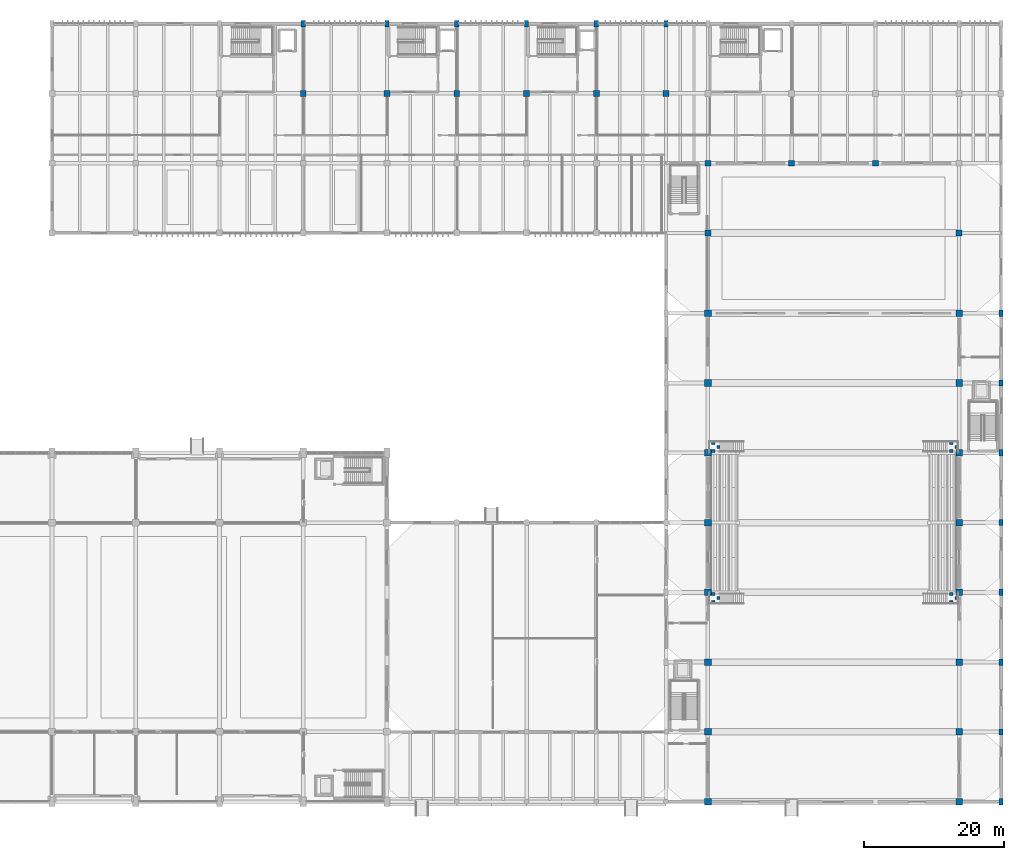
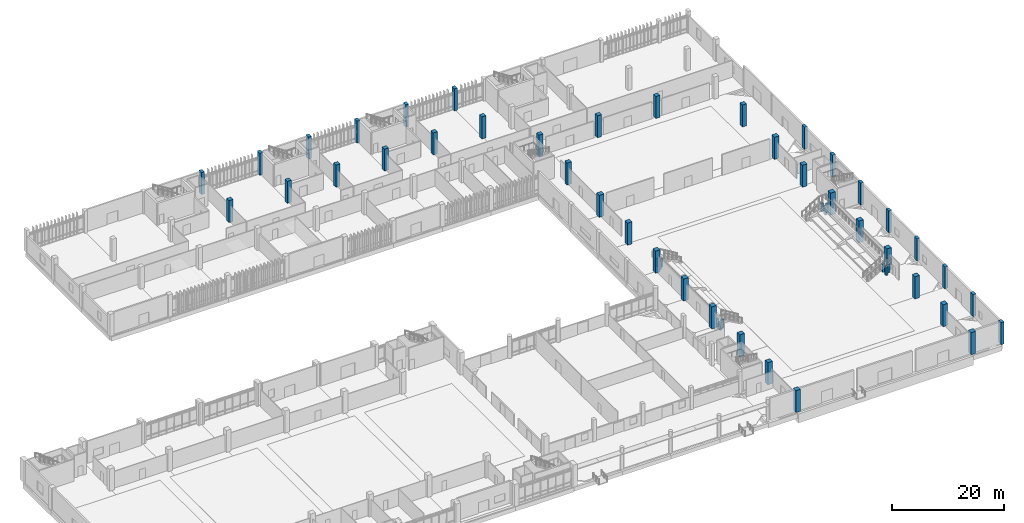
# One storey, part 3 of 87: 53 columns.
"""IFC4 building model written with IfcOpenShell, lengths in metres."""

from ifc_helpers import new_model, si_unit, direction, frame, origin, origin_2d, place, context, subcontext, project, spatial, rectangle, extrude, material, material_profile, profile_set, type_object, element, save


model = new_model("IFC4")

# Units and contexts
model_context = context("Model", 3, precision=1e-05, world=origin(), true_north=direction((0.0, 1.0)))
body_context = subcontext(model_context, "Body", "Model", "MODEL_VIEW")
ifc_project = project(units=[si_unit("LENGTHUNIT", "METRE"), si_unit("AREAUNIT", "SQUARE_METRE"), si_unit("VOLUMEUNIT", "CUBIC_METRE"), si_unit("PLANEANGLEUNIT", "RADIAN"), si_unit("MASSUNIT", "GRAM", prefix="KILO")], contexts=[model_context])

# Site, building, storey
site_placement = place(None, origin())
site = spatial("IfcSite", under=ifc_project, at=site_placement, CompositionType="ELEMENT")
building_placement = place(site_placement, origin())
building = spatial("IfcBuilding", under=site, at=building_placement, Name="Mersad Railyard Sports Hall", CompositionType="ELEMENT")
storey_placement = place(building_placement, origin())
storey = spatial("IfcBuildingStorey", under=building, at=storey_placement, Name="L00", CompositionType="ELEMENT", Elevation=0.0)

# Columns
ifc_material_1 = material(Name="Concrete C50/60", Category="concrete")
ifc_material_profile_1 = material_profile(ifc_material_1, rectangle(XDim=0.949951171875, YDim=0.949951171875, at=origin_2d()), Name="RC 950x950")
ifc_profile_set_1 = profile_set([ifc_material_profile_1], Name="Concrete C50/60")
column_type_1 = type_object("IfcColumnType", Name="STR-COL-C01", PredefinedType="COLUMN", material=ifc_profile_set_1)
for number, where, z_axis, x_axis, name in (
    (1, (137.0, 3.5, 0.0), (0.0, 0.0, 1.0), (1.0, 0.0, 0.0), "Column C01 L00 (137.0,3.5)"),
    (2, (137.0, 13.5, 0.0), (0.0, 0.0, 1.0), (1.0, 0.0, 0.0), "Column C01 L00 (137.0,13.5)"),
    (3, (137.0, 23.5, 0.0), (0.0, 0.0, 1.0), (1.0, 0.0, 0.0), "Column C01 L00 (137.0,23.5)"),
    (4, (137.0, 33.5, 0.0), (0.0, 0.0, 1.0), (1.0, 0.0, 0.0), "Column C01 L00 (137.0,33.5)"),
    (5, (137.0, 43.5, 0.0), (0.0, 0.0, 1.0), (1.0, 0.0, 0.0), "Column C01 L00 (137.0,43.5)"),
    (6, (137.0, 53.5, 0.0), (0.0, 0.0, 1.0), (1.0, 0.0, 0.0), "Column C01 L00 (137.0,53.5)"),
    (7, (137.0, 63.5, 0.0), (0.0, 0.0, 1.0), (1.0, 0.0, 0.0), "Column C01 L00 (137.0,63.5)"),
    (8, (137.0, 73.5, 0.0), (0.0, 0.0, 1.0), (1.0, 0.0, 0.0), "Column C01 L00 (137.0,73.5)"),
    (9, (173.0, 3.5, 0.0), (0.0, 0.0, 1.0), (1.0, 0.0, 0.0), "Column C01 L00 (173.0,3.5)"),
    (10, (173.0, 13.5, 0.0), (0.0, 0.0, 1.0), (1.0, 0.0, 0.0), "Column C01 L00 (173.0,13.5)"),
    (11, (173.0, 23.5, 0.0), (0.0, 0.0, 1.0), (1.0, 0.0, 0.0), "Column C01 L00 (173.0,23.5)"),
    (12, (173.0, 33.5, 0.0), (0.0, 0.0, 1.0), (1.0, 0.0, 0.0), "Column C01 L00 (173.0,33.5)"),
    (13, (173.0, 43.5, 0.0), (0.0, 0.0, 1.0), (1.0, 0.0, 0.0), "Column C01 L00 (173.0,43.5)"),
    (14, (173.0, 53.5, 0.0), (0.0, 0.0, 1.0), (1.0, 0.0, 0.0), "Column C01 L00 (173.0,53.5)"),
    (15, (173.0, 63.5, 0.0), (0.0, 0.0, 1.0), (1.0, 0.0, 0.0), "Column C01 L00 (173.0,63.5)"),
    (16, (173.0, 73.5, 0.0), (0.0, 0.0, 1.0), (1.0, 0.0, 0.0), "Column C01 L00 (173.0,73.5)"),
):
    element("IfcColumn", number, at=place(storey_placement, frame(where, z_axis=z_axis, x_axis=x_axis)), inside=storey, type_object=column_type_1, Name=name, PredefinedType="COLUMN", context=body_context, shape_type="SweptSolid", body=[
        extrude(rectangle(XDim=0.949951171875, YDim=0.949951171875, at=origin_2d()), origin(), (0.0, 0.0, 1.0), 4.800048828125),
    ])
ifc_material_profile_2 = material_profile(ifc_material_1, rectangle(XDim=0.85009765625, YDim=0.85009765625, at=origin_2d()), Name="RC 850x850")
ifc_profile_set_2 = profile_set([ifc_material_profile_2], Name="Concrete C50/60")
column_type_2 = type_object("IfcColumnType", Name="STR-COL-C02", PredefinedType="COLUMN", material=ifc_profile_set_2)
for number, where, z_axis, x_axis, name in (
    (17, (137.0, 85.0, 0.0), (0.0, 0.0, 1.0), (1.0, 0.0, 0.0), "Column C02 L00 (137.0,85.0)"),
    (18, (137.0, 95.0, 0.0), (0.0, 0.0, 1.0), (1.0, 0.0, 0.0), "Column C02 L00 (137.0,95.0)"),
    (19, (173.0, 85.0, 0.0), (0.0, 0.0, 1.0), (1.0, 0.0, 0.0), "Column C02 L00 (173.0,85.0)"),
    (20, (79.0, 105.0, 0.0), (0.0, 0.0, 1.0), (1.0, 0.0, 0.0), "Column C02 L00 (79.0,105.0)"),
    (21, (91.0, 105.0, 0.0), (0.0, 0.0, 1.0), (1.0, 0.0, 0.0), "Column C02 L00 (91.0,105.0)"),
    (22, (101.0, 105.0, 0.0), (0.0, 0.0, 1.0), (1.0, 0.0, 0.0), "Column C02 L00 (101.0,105.0)"),
    (23, (111.0, 105.0, 0.0), (0.0, 0.0, 1.0), (1.0, 0.0, 0.0), "Column C02 L00 (111.0,105.0)"),
    (24, (121.0, 105.0, 0.0), (0.0, 0.0, 1.0), (1.0, 0.0, 0.0), "Column C02 L00 (121.0,105.0)"),
    (25, (131.0, 105.0, 0.0), (0.0, 0.0, 1.0), (1.0, 0.0, 0.0), "Column C02 L00 (131.0,105.0)"),
    (26, (149.0, 95.0, 0.0), (0.0, 0.0, 1.0), (1.0, 0.0, 0.0), "Column C02 L00 (149.0,95.0)"),
    (27, (161.0, 95.0, 0.0), (0.0, 0.0, 1.0), (1.0, 0.0, 0.0), "Column C02 L00 (161.0,95.0)"),
):
    element("IfcColumn", number, at=place(storey_placement, frame(where, z_axis=z_axis, x_axis=x_axis)), inside=storey, type_object=column_type_2, Name=name, PredefinedType="COLUMN", context=body_context, shape_type="SweptSolid", body=[
        extrude(rectangle(XDim=0.85009765625, YDim=0.85009765625, at=origin_2d()), origin(), (0.0, 0.0, 1.0), 4.800048828125),
    ])
ifc_material_2 = material(Name="Concrete C40/50", Category="concrete")
ifc_material_profile_3 = material_profile(ifc_material_2, rectangle(XDim=0.449951171875, YDim=0.449951171875, at=origin_2d()), Name="RC 450x450")
ifc_profile_set_3 = profile_set([ifc_material_profile_3], Name="Concrete C40/50")
column_type_3 = type_object("IfcColumnType", Name="STR-COL-C06", PredefinedType="COLUMN", material=ifc_profile_set_3)
for number, where, z_axis, x_axis, name in (
    (28, (137.760009765625, 32.10009765625, 0.0), (0.0, 0.0, 1.0), (1.0, 0.0, 0.0), "Vomitory platform post 1-1"),
    (29, (137.760009765625, 33.25, 0.0), (0.0, 0.0, 1.0), (1.0, 0.0, 0.0), "Vomitory platform post 1-2"),
    (30, (138.5, 32.675048828125, 0.0), (0.0, 0.0, 1.0), (1.0, 0.0, 0.0), "Vomitory platform post 1-3"),
    (31, (137.760009765625, 53.75, 0.0), (0.0, 0.0, 1.0), (1.0, 0.0, 0.0), "Vomitory platform post 2-1"),
    (32, (137.760009765625, 54.89990234375, 0.0), (0.0, 0.0, 1.0), (1.0, 0.0, 0.0), "Vomitory platform post 2-2"),
    (33, (138.5, 54.324951171875, 0.0), (0.0, 0.0, 1.0), (1.0, 0.0, 0.0), "Vomitory platform post 2-3"),
    (34, (171.8701171875, 32.10009765625, 0.0), (0.0, 0.0, 1.0), (1.0, 0.0, 0.0), "Vomitory platform post 3-1"),
    (35, (171.8701171875, 33.25, 0.0), (0.0, 0.0, 1.0), (1.0, 0.0, 0.0), "Vomitory platform post 3-2"),
    (36, (172.610107421875, 32.675048828125, 0.0), (0.0, 0.0, 1.0), (1.0, 0.0, 0.0), "Vomitory platform post 3-3"),
    (37, (171.8701171875, 53.75, 0.0), (0.0, 0.0, 1.0), (1.0, 0.0, 0.0), "Vomitory platform post 4-1"),
    (38, (171.8701171875, 54.89990234375, 0.0), (0.0, 0.0, 1.0), (1.0, 0.0, 0.0), "Vomitory platform post 4-2"),
    (39, (172.610107421875, 54.324951171875, 0.0), (0.0, 0.0, 1.0), (1.0, 0.0, 0.0), "Vomitory platform post 4-3"),
):
    element("IfcColumn", number, at=place(storey_placement, frame(where, z_axis=z_axis, x_axis=x_axis)), inside=storey, type_object=column_type_3, Name=name, PredefinedType="COLUMN", context=body_context, shape_type="SweptSolid", body=[
        extrude(rectangle(XDim=0.449951171875, YDim=0.449951171875, at=origin_2d()), origin(), (0.0, 0.0, 1.0), 1.800048828125),
    ])
ifc_material_profile_4 = material_profile(ifc_material_1, rectangle(XDim=0.60009765625, YDim=0.89990234375, at=origin_2d()), Name="RC 600x900")
ifc_profile_set_4 = profile_set([ifc_material_profile_4], Name="Concrete C50/60")
column_type_4 = type_object("IfcColumnType", Name="STR-COL-C07", PredefinedType="COLUMN", material=ifc_profile_set_4)
for number, where, z_axis, x_axis, name in (
    (40, (179.0, 3.5, 0.0), (0.0, 0.0, 1.0), (1.0, 0.0, 0.0), "Column C07 L00 (179.0,3.5)"),
    (41, (179.0, 13.5, 0.0), (0.0, 0.0, 1.0), (1.0, 0.0, 0.0), "Column C07 L00 (179.0,13.5)"),
    (42, (179.0, 23.5, 0.0), (0.0, 0.0, 1.0), (1.0, 0.0, 0.0), "Column C07 L00 (179.0,23.5)"),
    (43, (179.0, 33.5, 0.0), (0.0, 0.0, 1.0), (1.0, 0.0, 0.0), "Column C07 L00 (179.0,33.5)"),
    (44, (179.0, 43.5, 0.0), (0.0, 0.0, 1.0), (1.0, 0.0, 0.0), "Column C07 L00 (179.0,43.5)"),
    (45, (179.0, 53.5, 0.0), (0.0, 0.0, 1.0), (1.0, 0.0, 0.0), "Column C07 L00 (179.0,53.5)"),
    (46, (179.0, 63.5, 0.0), (0.0, 0.0, 1.0), (1.0, 0.0, 0.0), "Column C07 L00 (179.0,63.5)"),
    (47, (179.0, 73.5, 0.0), (0.0, 0.0, 1.0), (1.0, 0.0, 0.0), "Column C07 L00 (179.0,73.5)"),
    (48, (79.0, 115.0, 0.0), (0.0, 0.0, 1.0), (1.0, 0.0, 0.0), "Column C07 L00 (79.0,115.0)"),
    (49, (91.0, 115.0, 0.0), (0.0, 0.0, 1.0), (1.0, 0.0, 0.0), "Column C07 L00 (91.0,115.0)"),
    (50, (101.0, 115.0, 0.0), (0.0, 0.0, 1.0), (1.0, 0.0, 0.0), "Column C07 L00 (101.0,115.0)"),
    (51, (111.0, 115.0, 0.0), (0.0, 0.0, 1.0), (1.0, 0.0, 0.0), "Column C07 L00 (111.0,115.0)"),
    (52, (121.0, 115.0, 0.0), (0.0, 0.0, 1.0), (1.0, 0.0, 0.0), "Column C07 L00 (121.0,115.0)"),
    (53, (131.0, 115.0, 0.0), (0.0, 0.0, 1.0), (1.0, 0.0, 0.0), "Column C07 L00 (131.0,115.0)"),
):
    element("IfcColumn", number, at=place(storey_placement, frame(where, z_axis=z_axis, x_axis=x_axis)), inside=storey, type_object=column_type_4, Name=name, PredefinedType="COLUMN", context=body_context, shape_type="SweptSolid", body=[
        extrude(rectangle(XDim=0.60009765625, YDim=0.89990234375, at=origin_2d()), origin(), (0.0, 0.0, 1.0), 4.800048828125),
    ])

save(model, "model.ifc")
